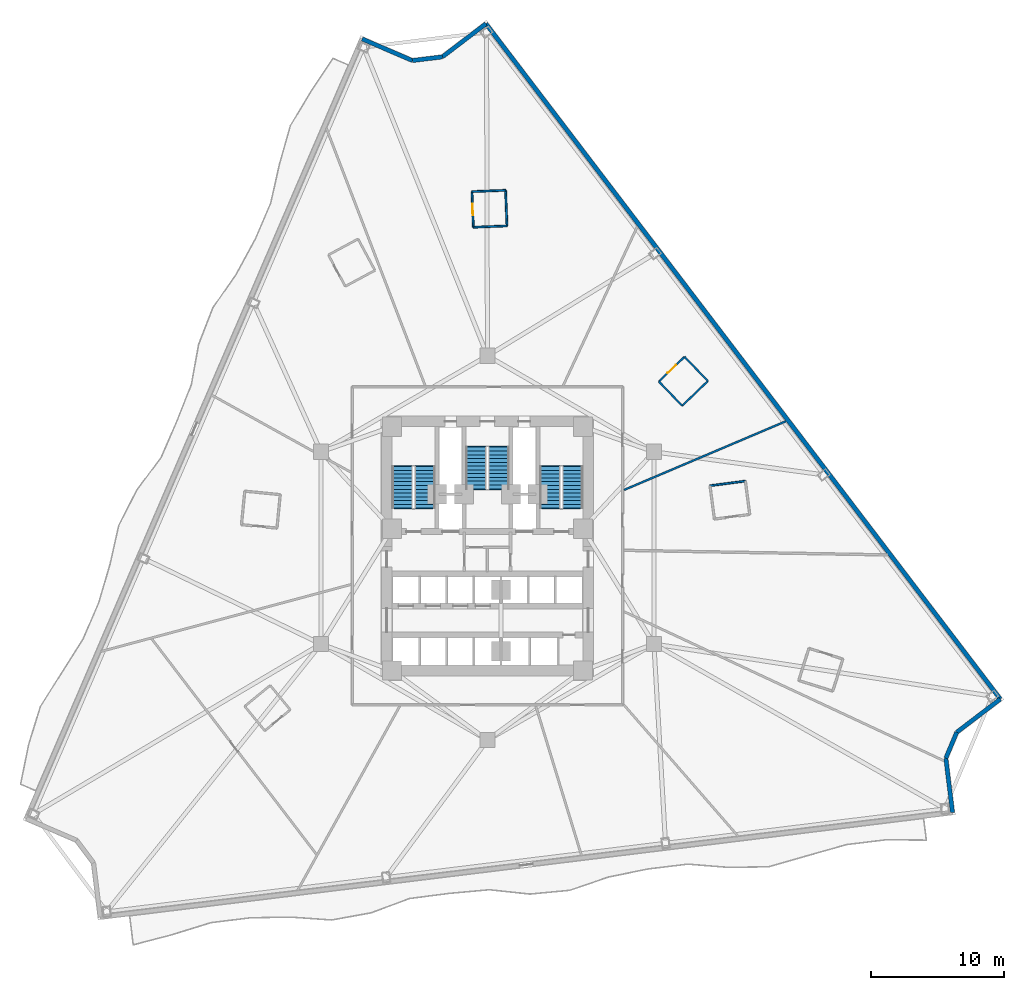
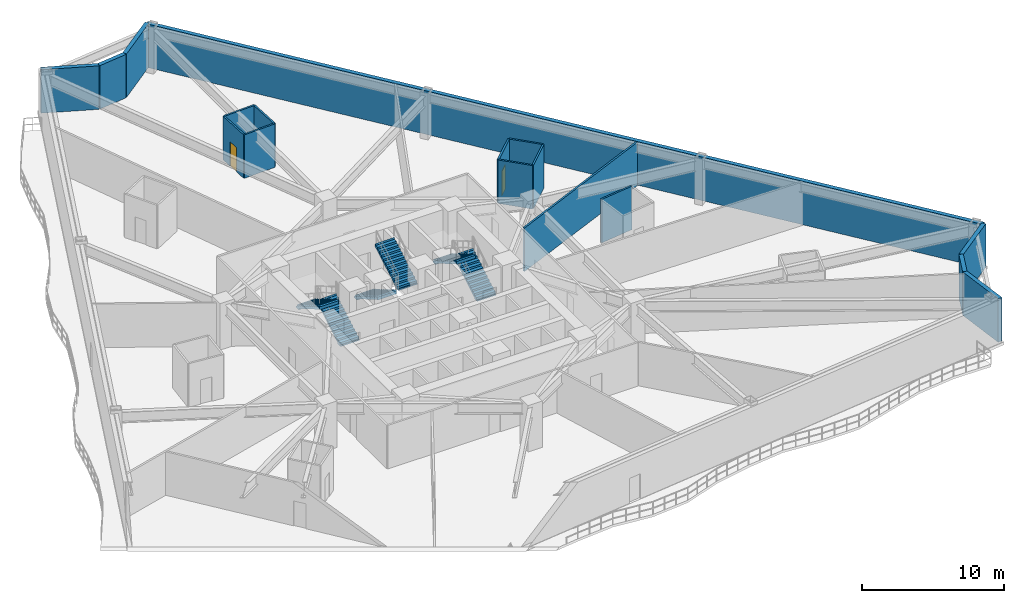
# One storey, part 7 of 12: 17 walls, 6 stair flights, 2 doors, 2 openings, 3 elements without a shape of their own.
"""IFC4 building model written with IfcOpenShell, lengths in metres."""

from ifc_helpers import new_model, si_unit, direction, frame, frame_2d, origin, place, context, subcontext, project, spatial, polyline, rectangle, outline, extrude, material, layer, layer_set, type_object, element, fill, aggregate, save


model = new_model("IFC4")

# Units and contexts
model_context = context("Model", 3, precision=1e-05, world=origin(), true_north=direction((0.0, 1.0)))
body_context = subcontext(model_context, "Body", "Model", "MODEL_VIEW")
ifc_project = project(units=[si_unit("LENGTHUNIT", "METRE"), si_unit("AREAUNIT", "SQUARE_METRE"), si_unit("VOLUMEUNIT", "CUBIC_METRE"), si_unit("PLANEANGLEUNIT", "RADIAN"), si_unit("MASSUNIT", "GRAM", prefix="KILO")], contexts=[model_context])

# Site, building, storey
site_placement = place(None, origin())
site = spatial("IfcSite", under=ifc_project, at=site_placement, CompositionType="ELEMENT")
building_placement = place(site_placement, origin())
building = spatial("IfcBuilding", under=site, at=building_placement, Name="Apsidion Concourse Tower", CompositionType="ELEMENT")
storey_placement = place(building_placement, frame((0.0, 0.0, 71.0)))
storey = spatial("IfcBuildingStorey", under=building, at=storey_placement, Name="L15", CompositionType="ELEMENT", Elevation=71.0)

# Walls
ifc_material_1 = material(Name="Precast concrete C40/50", Category="concrete")
ifc_layer_1 = layer(ifc_material_1, 0.320068359375)
ifc_layer_set_1 = layer_set([ifc_layer_1], Name="Precast concrete C40/50")
wall_type_1 = type_object("IfcWallType", Name="WL-EXT-320", PredefinedType="STANDARD", material=ifc_layer_set_1)
wall_1_placement = place(storey_placement, frame((-0.115234375, 39.555419921875, 0.0), z_axis=(0.0, 0.0, 1.0), x_axis=(0.605877389385, -0.795558036243, 0.0)))
element("IfcWall", 1, at=wall_1_placement, inside=storey, type_object=wall_type_1, Name="L15 Precast Stone Facade Wall 01", PredefinedType="STANDARD", context=body_context, shape_type="SweptSolid", body=[
    extrude(rectangle(XDim=64.058349609375, YDim=0.320068359375, at=frame_2d((32.029296875, 0.0))), origin(), (0.0, 0.0, 1.0), 3.75),
])
wall_2_placement = place(storey_placement, frame((38.6962890625, -11.40673828125, 0.0), z_axis=(0.0, 0.0, 1.0), x_axis=(-0.795549815011, -0.605888184269, 0.0)))
element("IfcWall", 2, at=wall_2_placement, inside=storey, type_object=wall_type_1, Name="L15 Precast Stone Facade Wall 02", PredefinedType="STANDARD", context=body_context, shape_type="SweptSolid", body=[
    extrude(rectangle(XDim=4.128173828125, YDim=0.320068359375, at=frame_2d((2.06396484375, 0.0))), origin(), (0.0, 0.0, 1.0), 3.75),
])
wall_3_placement = place(storey_placement, frame((35.412109375, -13.907958984375, 0.0), z_axis=(0.0, 0.0, 1.0), x_axis=(-0.388344964834, -0.921514073841, 0.0)))
element("IfcWall", 3, at=wall_3_placement, inside=storey, type_object=wall_type_1, Name="L15 Precast Stone Facade Wall 03", PredefinedType="STANDARD", context=body_context, shape_type="SweptSolid", body=[
    extrude(rectangle(XDim=2.122314453125, YDim=0.320068359375, at=frame_2d((1.06103515625, 0.0))), origin(), (0.0, 0.0, 1.0), 3.75),
])
wall_4_placement = place(storey_placement, frame((34.587890625, -15.86376953125, 0.0), z_axis=(0.0, 0.0, 1.0), x_axis=(0.12182895116, -0.992551110351, 0.0)))
element("IfcWall", 4, at=wall_4_placement, inside=storey, type_object=wall_type_1, Name="L15 Precast Stone Facade Wall 04", PredefinedType="STANDARD", context=body_context, shape_type="SweptSolid", body=[
    extrude(rectangle(XDim=4.128173828125, YDim=0.320068359375, at=frame_2d((2.06396484375, 0.0))), origin(), (0.0, 0.0, 1.0), 3.75),
])
wall_5_placement = place(storey_placement, frame((-9.45751953125, 38.408203125, 0.0), z_axis=(0.0, 0.0, 1.0), x_axis=(0.918510754284, -0.395395996774, 0.0)))
element("IfcWall", 5, at=wall_5_placement, inside=storey, type_object=wall_type_1, Name="L15 Precast Stone Facade Wall 10", PredefinedType="STANDARD", context=body_context, shape_type="SweptSolid", body=[
    extrude(rectangle(XDim=4.12890625, YDim=0.320068359375, at=frame_2d((2.064453125, 0.0))), origin(), (0.0, 0.0, 1.0), 3.75),
])
wall_6_placement = place(storey_placement, frame((-5.6650390625, 36.775634765625, 0.0), z_axis=(0.0, 0.0, 1.0), x_axis=(0.992547088217, 0.121861715369, 0.0)))
element("IfcWall", 6, at=wall_6_placement, inside=storey, type_object=wall_type_1, Name="L15 Precast Stone Facade Wall 11", PredefinedType="STANDARD", context=body_context, shape_type="SweptSolid", body=[
    extrude(rectangle(XDim=2.281982421875, YDim=0.320068359375, at=frame_2d((1.14111328125, 0.0))), origin(), (0.0, 0.0, 1.0), 3.75),
])
wall_7_placement = place(storey_placement, frame((-3.400146484375, 37.0537109375, 0.0), z_axis=(0.0, 0.0, 1.0), x_axis=(0.795557931523, 0.605877526891, 0.0)))
element("IfcWall", 7, at=wall_7_placement, inside=storey, type_object=wall_type_1, Name="L15 Precast Stone Facade Wall 12", PredefinedType="STANDARD", context=body_context, shape_type="SweptSolid", body=[
    extrude(rectangle(XDim=4.129150390625, YDim=0.320068359375, at=frame_2d((2.064453125, 0.0))), origin(), (0.0, 0.0, 1.0), 3.75),
])
ifc_material_2 = material(Name="Gypsum plasterboard partition")
ifc_layer_2 = layer(ifc_material_2, 0.139892578125)
ifc_layer_set_2 = layer_set([ifc_layer_2], Name="Gypsum plasterboard partition")
wall_type_2 = type_object("IfcWallType", Name="WL-INT-PAR-140", PredefinedType="PARTITIONING", material=ifc_layer_set_2)
for number, where, z_axis, x_axis, name in (
    (8, (19.460693359375, 5.044677734375, 0.0), (0.0, 0.0, 1.0), (-0.991446880033, -0.130510858064, 0.0), "L15 Interior Partition WL-L15-POD-ENS05-S3"),
    (9, (14.69287109375, 10.726806640625, 0.0), (0.0, 0.0, 1.0), (0.720545235035, 0.693407934962, 0.0), "L15 Interior Partition WL-L15-POD-ENS06-S1"),
):
    element("IfcWall", number, at=place(storey_placement, frame(where, z_axis=z_axis, x_axis=x_axis)), inside=storey, type_object=wall_type_2, Name=name, PredefinedType="PARTITIONING", context=body_context, shape_type="SweptSolid", body=[
        extrude(rectangle(XDim=2.68994140625, YDim=0.139892578125, at=frame_2d((1.344970703125, 0.0))), origin(), (0.0, 0.0, 1.0), 3.75),
    ])
wall_8_placement = place(storey_placement, frame((16.631103515625, 12.592041015625, 0.0), z_axis=(0.0, 0.0, 1.0), x_axis=(-0.693423687689, 0.720530075259, 0.0)))
element("IfcWall", 10, at=wall_8_placement, inside=storey, type_object=wall_type_2, Name="L15 Interior Partition WL-L15-POD-ENS06-S2", PredefinedType="PARTITIONING", context=body_context, shape_type="SweptSolid", body=[
    extrude(rectangle(XDim=2.539794921875, YDim=0.139892578125, at=frame_2d((1.27001953125, 0.0))), origin(), (0.0, 0.0, 1.0), 3.75),
])

# Wall, opening, door
wall_9_placement = place(storey_placement, frame((14.869873046875, 14.422119140625, 0.0), z_axis=(0.0, 0.0, 1.0), x_axis=(-0.720545235035, -0.693407934962, 0.0)))
wall_9 = element("IfcWall", 11, at=wall_9_placement, inside=storey, type_object=wall_type_2, Name="L15 Interior Partition WL-L15-POD-ENS06-S3", PredefinedType="PARTITIONING", context=body_context, shape_type="SweptSolid", body=[
    extrude(rectangle(XDim=2.68994140625, YDim=0.139892578125, at=frame_2d((1.344970703125, 0.0))), origin(), (0.0, 0.0, 1.0), 3.75),
])
opening_1_placement = place(wall_9_placement, frame((0.905029296875, 0.0, 0.0)))
opening_1 = element("IfcOpeningElement", 12, at=opening_1_placement, cuts=wall_9, Name="Opening D-03L", PredefinedType="OPENING", context=body_context, shape_type="SweptSolid", body=[
    extrude(rectangle(XDim=0.8798828125, YDim=2.10009765625, at=frame_2d((0.43994140625, 1.050048828125))), frame((0.0, 0.080078125, 0.0), z_axis=(0.0, -1.0, 0.0), x_axis=(1.0, 0.0, 0.0)), (0.0, 0.0, 1.0), 0.159912109375),
])
ifc_material_3 = material(Name="Anodised aluminium EN AW-6063 T6", Category="aluminium")
door_type_1 = type_object("IfcDoorType", Name="DR-INT-D03L", OperationType="SINGLE_SWING_LEFT", PredefinedType="DOOR", material=ifc_material_3)
door_1_placement = place(opening_1_placement, origin())
door_1 = element("IfcDoor", 13, at=door_1_placement, inside=storey, type_object=door_type_1, Name="L15 Guest En-Suite Bathroom Door ENS06", OperationType="SINGLE_SWING_LEFT", OverallHeight=2.10009765625, OverallWidth=0.8798828125, PredefinedType="DOOR", context=body_context, shape_type="SweptSolid", body=[
    extrude(rectangle(XDim=0.8798828125, YDim=2.10009765625, at=frame_2d((0.43994140625, 1.050048828125))), frame((0.0, 0.02490234375, 0.0), z_axis=(0.0, -1.0, 0.0), x_axis=(1.0, 0.0, 0.0)), (0.0, 0.0, 1.0), 0.050048828125),
])
fill(opening_1, door_1)

# Walls
wall_10_placement = place(storey_placement, frame((12.931640625, 12.556884765625, 0.0), z_axis=(0.0, 0.0, 1.0), x_axis=(0.693423687689, -0.720530075259, 0.0)))
element("IfcWall", 14, at=wall_10_placement, inside=storey, type_object=wall_type_2, Name="L15 Interior Partition WL-L15-POD-ENS06-S4", PredefinedType="PARTITIONING", context=body_context, shape_type="SweptSolid", body=[
    extrude(rectangle(XDim=2.539794921875, YDim=0.139892578125, at=frame_2d((1.27001953125, 0.0))), origin(), (0.0, 0.0, 1.0), 3.75),
])
wall_11_placement = place(storey_placement, frame((1.474609375, 24.298583984375, 0.0), z_axis=(0.0, 0.0, 1.0), x_axis=(-0.040116649234, 0.999195003217, 0.0)))
element("IfcWall", 15, at=wall_11_placement, inside=storey, type_object=wall_type_2, Name="L15 Interior Partition WL-L15-POD-ENS07-S1", PredefinedType="PARTITIONING", context=body_context, shape_type="SweptSolid", body=[
    extrude(rectangle(XDim=2.68994140625, YDim=0.139892578125, at=frame_2d((1.344970703125, 0.0))), origin(), (0.0, 0.0, 1.0), 3.75),
])
wall_12_placement = place(storey_placement, frame((1.36669921875, 26.986328125, 0.0), z_axis=(0.0, 0.0, 1.0), x_axis=(-0.999196499977, -0.040079351721, 0.0)))
element("IfcWall", 16, at=wall_12_placement, inside=storey, type_object=wall_type_2, Name="L15 Interior Partition WL-L15-POD-ENS07-S2", PredefinedType="PARTITIONING", context=body_context, shape_type="SweptSolid", body=[
    extrude(rectangle(XDim=2.5400390625, YDim=0.139892578125, at=frame_2d((1.27001953125, 0.0))), origin(), (0.0, 0.0, 1.0), 3.75),
])

# Wall, opening, door
wall_13_placement = place(storey_placement, frame((-1.17138671875, 26.884521484375, 0.0), z_axis=(0.0, 0.0, 1.0), x_axis=(0.040113011442, -0.999195149264, 0.0)))
wall_13 = element("IfcWall", 17, at=wall_13_placement, inside=storey, type_object=wall_type_2, Name="L15 Interior Partition WL-L15-POD-ENS07-S3", PredefinedType="PARTITIONING", context=body_context, shape_type="SweptSolid", body=[
    extrude(rectangle(XDim=2.690185546875, YDim=0.139892578125, at=frame_2d((1.34521484375, 0.0))), origin(), (0.0, 0.0, 1.0), 3.75),
])
opening_2_placement = place(wall_13_placement, frame((0.905029296875, 0.0, 0.0)))
opening_2 = element("IfcOpeningElement", 18, at=opening_2_placement, cuts=wall_13, Name="Opening D-03R", PredefinedType="OPENING", context=body_context, shape_type="SweptSolid", body=[
    extrude(rectangle(XDim=0.8798828125, YDim=2.10009765625, at=frame_2d((0.43994140625, 1.050048828125))), frame((0.0, 0.080078125, 0.0), z_axis=(0.0, -1.0, 0.0), x_axis=(1.0, 0.0, 0.0)), (0.0, 0.0, 1.0), 0.159912109375),
])
door_type_2 = type_object("IfcDoorType", Name="DR-INT-D03R", OperationType="SINGLE_SWING_RIGHT", PredefinedType="DOOR", material=ifc_material_3)
door_2_placement = place(opening_2_placement, origin())
door_2 = element("IfcDoor", 19, at=door_2_placement, inside=storey, type_object=door_type_2, Name="L15 Guest En-Suite Bathroom Door ENS07", OperationType="SINGLE_SWING_RIGHT", OverallHeight=2.10009765625, OverallWidth=0.8798828125, PredefinedType="DOOR", context=body_context, shape_type="SweptSolid", body=[
    extrude(rectangle(XDim=0.8798828125, YDim=2.10009765625, at=frame_2d((0.43994140625, 1.050048828125))), frame((0.0, 0.02490234375, 0.0), z_axis=(0.0, -1.0, 0.0), x_axis=(1.0, 0.0, 0.0)), (0.0, 0.0, 1.0), 0.050048828125),
])
fill(opening_2, door_2)

# Walls
wall_14_placement = place(storey_placement, frame((-1.0634765625, 24.196533203125, 0.0), z_axis=(0.0, 0.0, 1.0), x_axis=(0.99919264631, 0.040175310327, 0.0)))
element("IfcWall", 20, at=wall_14_placement, inside=storey, type_object=wall_type_2, Name="L15 Interior Partition WL-L15-POD-ENS07-S4", PredefinedType="PARTITIONING", context=body_context, shape_type="SweptSolid", body=[
    extrude(rectangle(XDim=2.5400390625, YDim=0.139892578125, at=frame_2d((1.27001953125, 0.0))), origin(), (0.0, 0.0, 1.0), 3.75),
])
ifc_layer_3 = layer(ifc_material_2, 0.14990234375)
ifc_layer_set_3 = layer_set([ifc_layer_3], Name="Gypsum plasterboard partition")
wall_type_3 = type_object("IfcWallType", Name="WL-INT-PAR-150", PredefinedType="PARTITIONING", material=ifc_layer_set_3)
wall_15_placement = place(storey_placement, frame((10.304931640625, 4.374267578125, 0.0), z_axis=(0.0, 0.0, 1.0), x_axis=(0.920506948121, 0.390726193723, 0.0)))
element("IfcWall", 21, at=wall_15_placement, inside=storey, type_object=wall_type_3, Name="L15 Interior Partition WL-L15-RAD-01-1", PredefinedType="PARTITIONING", context=body_context, shape_type="SweptSolid", body=[
    extrude(rectangle(XDim=13.260986328125, YDim=0.14990234375, at=frame_2d((6.63037109375, 0.0))), origin(), (0.0, 0.0, 1.0), 3.75),
])

# Stair, stair flights
stair_type = type_object("IfcStairType", Name="ST-DL-1550", PredefinedType="HALF_TURN_STAIR", material=ifc_material_1)
stair_1_placement = place(storey_placement, origin())
stair_1 = element("IfcStair", 22, at=stair_1_placement, inside=storey, type_object=stair_type, Name="L15 Protected Core Exit Stair ST1", PredefinedType="HALF_TURN_STAIR")
stair_flight_type = type_object("IfcStairFlightType", Name="SFL-RC-1550", PredefinedType="STRAIGHT", material=ifc_material_1)
stair_flight_1_placement = place(storey_placement, frame((-4.72509765625, 3.0, 0.0), z_axis=(0.0, 0.0, 1.0), x_axis=(0.0, 1.0, 0.0)))
stair_flight_1 = element("IfcStairFlight", 23, at=stair_flight_1_placement, type_object=stair_flight_type, Name="ST1 flight 1", NumberOfRisers=12, NumberOfTreads=11, PredefinedType="STRAIGHT", RiserHeight=0.166666667, TreadLength=0.285, context=body_context, shape_type="SweptSolid", body=[
    extrude(outline(polyline([(-0.080078125, -0.1123046875), (-0.080078125, 0.0), (0.0, 0.0), (0.0, 0.166748046875), (0.284912109375, 0.166748046875), (0.284912109375, 0.333251953125), (0.570068359375, 0.333251953125), (0.570068359375, 0.5), (0.85498046875, 0.5), (0.85498046875, 0.666748046875), (1.139892578125, 0.666748046875), (1.139892578125, 0.833251953125), (1.425048828125, 0.833251953125), (1.425048828125, 1.0), (1.7099609375, 1.0), (1.7099609375, 1.166748046875), (1.9951171875, 1.166748046875), (1.9951171875, 1.333251953125), (2.280029296875, 1.333251953125), (2.280029296875, 1.5), (2.56494140625, 1.5), (2.56494140625, 1.666748046875), (2.85009765625, 1.666748046875), (2.85009765625, 1.833251953125), (3.135009765625, 1.833251953125), (3.135009765625, 2.0), (3.215087890625, 1.916748046875), (3.215087890625, 1.65966796875), (3.135009765625, 1.65966796875), (0.296875, 0.0), (0.296875, -0.1123046875), (-0.080078125, -0.1123046875)])), frame((0.0, 0.77490234375, 0.0), z_axis=(0.0, -1.0, 0.0), x_axis=(1.0, 0.0, 0.0)), (0.0, 0.0, 1.0), 1.550048828125),
])
stair_flight_2_placement = place(storey_placement, frame((-6.425048828125, 6.135009765625, 2.0), z_axis=(0.0, 0.0, 1.0), x_axis=(0.0, -1.0, 0.0)))
stair_flight_2 = element("IfcStairFlight", 24, at=stair_flight_2_placement, type_object=stair_flight_type, Name="ST1 flight 2", NumberOfRisers=12, NumberOfTreads=11, PredefinedType="STRAIGHT", RiserHeight=0.166666667, TreadLength=0.285, context=body_context, shape_type="SweptSolid", body=[
    extrude(outline(polyline([(-0.080078125, -0.1123046875), (-0.080078125, 0.0), (0.0, 0.0), (0.0, 0.166748046875), (0.284912109375, 0.166748046875), (0.284912109375, 0.333251953125), (0.570068359375, 0.333251953125), (0.570068359375, 0.5), (0.85498046875, 0.5), (0.85498046875, 0.666748046875), (1.139892578125, 0.666748046875), (1.139892578125, 0.833251953125), (1.425048828125, 0.833251953125), (1.425048828125, 1.0), (1.7099609375, 1.0), (1.7099609375, 1.166748046875), (1.9951171875, 1.166748046875), (1.9951171875, 1.333251953125), (2.280029296875, 1.333251953125), (2.280029296875, 1.5), (2.56494140625, 1.5), (2.56494140625, 1.666748046875), (2.85009765625, 1.666748046875), (2.85009765625, 1.833251953125), (3.135009765625, 1.833251953125), (3.135009765625, 2.0), (3.215087890625, 1.916748046875), (3.215087890625, 1.65966796875), (3.135009765625, 1.65966796875), (0.296875, 0.0), (0.296875, -0.1123046875), (-0.080078125, -0.1123046875)])), frame((0.0, 0.77490234375, 0.0), z_axis=(0.0, -1.0, 0.0), x_axis=(1.0, 0.0, 0.0)), (0.0, 0.0, 1.0), 1.550048828125),
])
aggregate(stair_1, [stair_flight_1, stair_flight_2])

stair_2_placement = place(storey_placement, origin())
stair_2 = element("IfcStair", 25, at=stair_2_placement, inside=storey, type_object=stair_type, Name="L15 Protected Core Exit Stair ST2", PredefinedType="HALF_TURN_STAIR")
stair_flight_3_placement = place(storey_placement, frame((6.425048828125, 3.0, 0.0), z_axis=(0.0, 0.0, 1.0), x_axis=(0.0, 1.0, 0.0)))
stair_flight_3 = element("IfcStairFlight", 26, at=stair_flight_3_placement, type_object=stair_flight_type, Name="ST2 flight 1", NumberOfRisers=12, NumberOfTreads=11, PredefinedType="STRAIGHT", RiserHeight=0.166666667, TreadLength=0.285, context=body_context, shape_type="SweptSolid", body=[
    extrude(outline(polyline([(-0.080078125, -0.1123046875), (-0.080078125, 0.0), (0.0, 0.0), (0.0, 0.166748046875), (0.284912109375, 0.166748046875), (0.284912109375, 0.333251953125), (0.570068359375, 0.333251953125), (0.570068359375, 0.5), (0.85498046875, 0.5), (0.85498046875, 0.666748046875), (1.139892578125, 0.666748046875), (1.139892578125, 0.833251953125), (1.425048828125, 0.833251953125), (1.425048828125, 1.0), (1.7099609375, 1.0), (1.7099609375, 1.166748046875), (1.9951171875, 1.166748046875), (1.9951171875, 1.333251953125), (2.280029296875, 1.333251953125), (2.280029296875, 1.5), (2.56494140625, 1.5), (2.56494140625, 1.666748046875), (2.85009765625, 1.666748046875), (2.85009765625, 1.833251953125), (3.135009765625, 1.833251953125), (3.135009765625, 2.0), (3.215087890625, 1.916748046875), (3.215087890625, 1.65966796875), (3.135009765625, 1.65966796875), (0.296875, 0.0), (0.296875, -0.1123046875), (-0.080078125, -0.1123046875)])), frame((0.0, 0.77490234375, 0.0), z_axis=(0.0, -1.0, 0.0), x_axis=(1.0, 0.0, 0.0)), (0.0, 0.0, 1.0), 1.550048828125),
])
stair_flight_4_placement = place(storey_placement, frame((4.72509765625, 6.135009765625, 2.0), z_axis=(0.0, 0.0, 1.0), x_axis=(0.0, -1.0, 0.0)))
stair_flight_4 = element("IfcStairFlight", 27, at=stair_flight_4_placement, type_object=stair_flight_type, Name="ST2 flight 2", NumberOfRisers=12, NumberOfTreads=11, PredefinedType="STRAIGHT", RiserHeight=0.166666667, TreadLength=0.285, context=body_context, shape_type="SweptSolid", body=[
    extrude(outline(polyline([(-0.080078125, -0.1123046875), (-0.080078125, 0.0), (0.0, 0.0), (0.0, 0.166748046875), (0.284912109375, 0.166748046875), (0.284912109375, 0.333251953125), (0.570068359375, 0.333251953125), (0.570068359375, 0.5), (0.85498046875, 0.5), (0.85498046875, 0.666748046875), (1.139892578125, 0.666748046875), (1.139892578125, 0.833251953125), (1.425048828125, 0.833251953125), (1.425048828125, 1.0), (1.7099609375, 1.0), (1.7099609375, 1.166748046875), (1.9951171875, 1.166748046875), (1.9951171875, 1.333251953125), (2.280029296875, 1.333251953125), (2.280029296875, 1.5), (2.56494140625, 1.5), (2.56494140625, 1.666748046875), (2.85009765625, 1.666748046875), (2.85009765625, 1.833251953125), (3.135009765625, 1.833251953125), (3.135009765625, 2.0), (3.215087890625, 1.916748046875), (3.215087890625, 1.65966796875), (3.135009765625, 1.65966796875), (0.296875, 0.0), (0.296875, -0.1123046875), (-0.080078125, -0.1123046875)])), frame((0.0, 0.77490234375, 0.0), z_axis=(0.0, -1.0, 0.0), x_axis=(1.0, 0.0, 0.0)), (0.0, 0.0, 1.0), 1.550048828125),
])
aggregate(stair_2, [stair_flight_3, stair_flight_4])

stair_3_placement = place(storey_placement, origin())
stair_3 = element("IfcStair", 28, at=stair_3_placement, inside=storey, type_object=stair_type, Name="L15 Protected Core Exit Stair ST3", PredefinedType="HALF_TURN_STAIR")
stair_flight_5_placement = place(storey_placement, frame((-0.85009765625, 7.60009765625, 0.0), z_axis=(0.0, 0.0, 1.0), x_axis=(0.0, -1.0, 0.0)))
stair_flight_5 = element("IfcStairFlight", 29, at=stair_flight_5_placement, type_object=stair_flight_type, Name="ST3 flight 1", NumberOfRisers=12, NumberOfTreads=11, PredefinedType="STRAIGHT", RiserHeight=0.166666667, TreadLength=0.285, context=body_context, shape_type="SweptSolid", body=[
    extrude(outline(polyline([(-0.080078125, -0.1123046875), (-0.080078125, 0.0), (0.0, 0.0), (0.0, 0.166748046875), (0.284912109375, 0.166748046875), (0.284912109375, 0.333251953125), (0.570068359375, 0.333251953125), (0.570068359375, 0.5), (0.85498046875, 0.5), (0.85498046875, 0.666748046875), (1.139892578125, 0.666748046875), (1.139892578125, 0.833251953125), (1.425048828125, 0.833251953125), (1.425048828125, 1.0), (1.7099609375, 1.0), (1.7099609375, 1.166748046875), (1.9951171875, 1.166748046875), (1.9951171875, 1.333251953125), (2.280029296875, 1.333251953125), (2.280029296875, 1.5), (2.56494140625, 1.5), (2.56494140625, 1.666748046875), (2.85009765625, 1.666748046875), (2.85009765625, 1.833251953125), (3.135009765625, 1.833251953125), (3.135009765625, 2.0), (3.215087890625, 1.916748046875), (3.215087890625, 1.65966796875), (3.135009765625, 1.65966796875), (0.296875, 0.0), (0.296875, -0.1123046875), (-0.080078125, -0.1123046875)])), frame((0.0, 0.77490234375, 0.0), z_axis=(0.0, -1.0, 0.0), x_axis=(1.0, 0.0, 0.0)), (0.0, 0.0, 1.0), 1.550048828125),
])
stair_flight_6_placement = place(storey_placement, frame((0.85009765625, 4.465087890625, 2.0), z_axis=(0.0, 0.0, 1.0), x_axis=(0.0, 1.0, 0.0)))
stair_flight_6 = element("IfcStairFlight", 30, at=stair_flight_6_placement, type_object=stair_flight_type, Name="ST3 flight 2", NumberOfRisers=12, NumberOfTreads=11, PredefinedType="STRAIGHT", RiserHeight=0.166666667, TreadLength=0.285, context=body_context, shape_type="SweptSolid", body=[
    extrude(outline(polyline([(-0.080078125, -0.1123046875), (-0.080078125, 0.0), (0.0, 0.0), (0.0, 0.166748046875), (0.284912109375, 0.166748046875), (0.284912109375, 0.333251953125), (0.570068359375, 0.333251953125), (0.570068359375, 0.5), (0.85498046875, 0.5), (0.85498046875, 0.666748046875), (1.139892578125, 0.666748046875), (1.139892578125, 0.833251953125), (1.425048828125, 0.833251953125), (1.425048828125, 1.0), (1.7099609375, 1.0), (1.7099609375, 1.166748046875), (1.9951171875, 1.166748046875), (1.9951171875, 1.333251953125), (2.280029296875, 1.333251953125), (2.280029296875, 1.5), (2.56494140625, 1.5), (2.56494140625, 1.666748046875), (2.85009765625, 1.666748046875), (2.85009765625, 1.833251953125), (3.135009765625, 1.833251953125), (3.135009765625, 2.0), (3.215087890625, 1.916748046875), (3.215087890625, 1.65966796875), (3.135009765625, 1.65966796875), (0.296875, 0.0), (0.296875, -0.1123046875), (-0.080078125, -0.1123046875)])), frame((0.0, 0.77490234375, 0.0), z_axis=(0.0, -1.0, 0.0), x_axis=(1.0, 0.0, 0.0)), (0.0, 0.0, 1.0), 1.550048828125),
])
aggregate(stair_3, [stair_flight_5, stair_flight_6])

save(model, "model.ifc")
